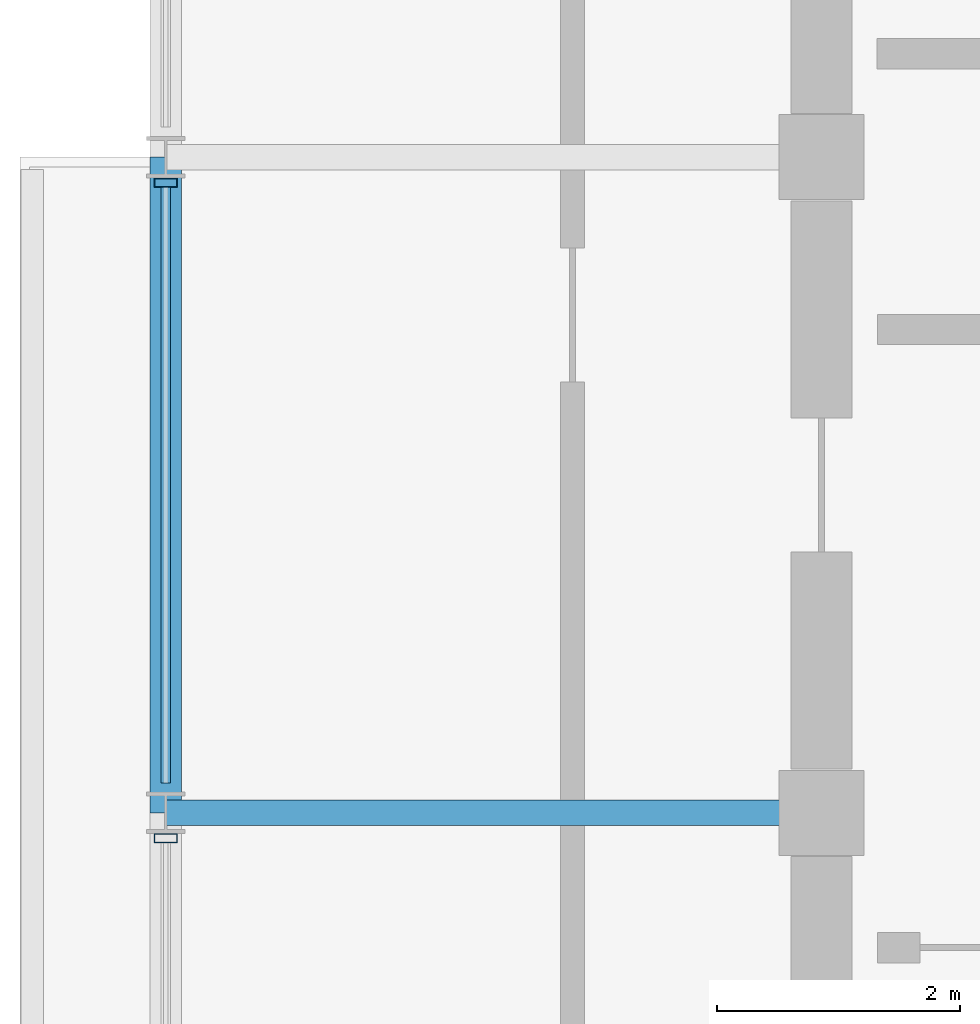
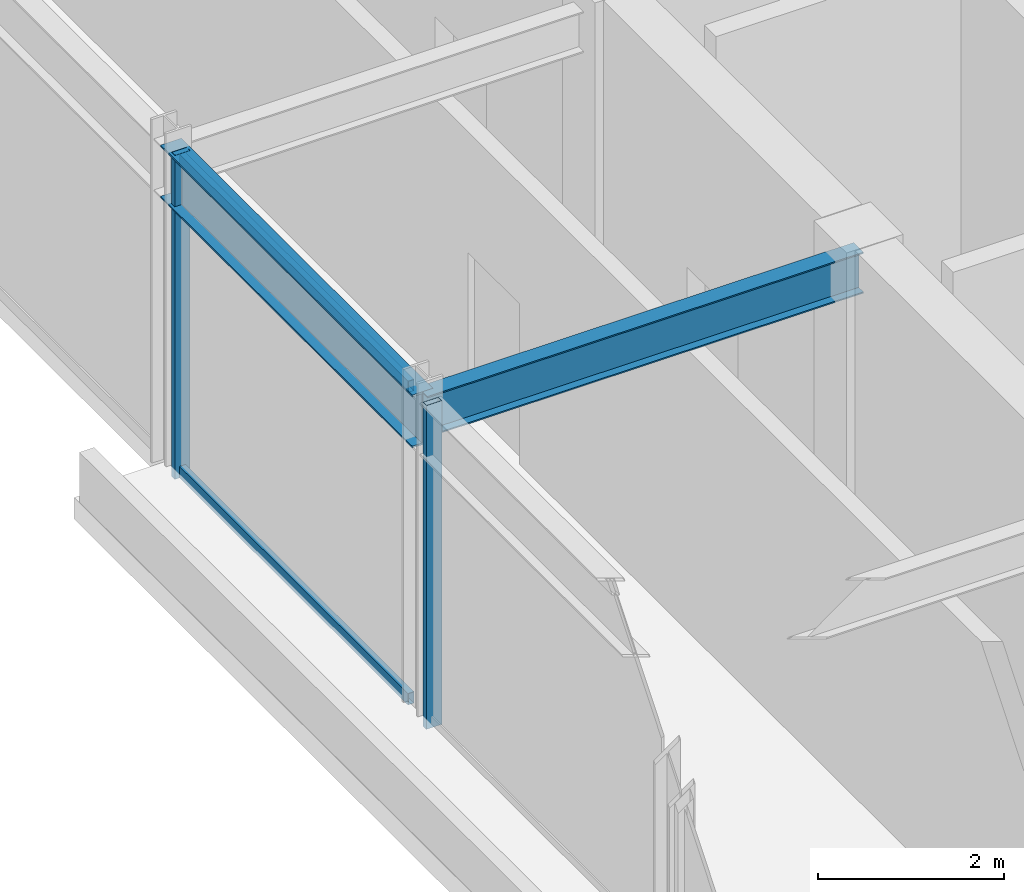
# One storey, part 4 of 18: 4 members, 2 beams, 1 element without a shape of its own.
"""IFC4 building model written with IfcOpenShell, lengths in metres."""

import ifcopenshell
import ifcopenshell.guid

model = None  # the IFC model being written
_history = None  # IfcOwnerHistory: only IFC2X3 demands one
_inside = {}  # id of a spatial element -> (the spatial element, [elements in it])
_under = {}  # id of a project, library or spatial element -> (it, [spatial elements below it])
_declared = {}  # id of a project -> (the project, [libraries it declares])
_typed = {}  # id of a type object -> (the type object, [elements of that type])
_made_of = {}  # id of a material, layer set ... -> (it, [elements and type objects made of it])


def new_model(schema):
    """Start an empty IFC model of exactly this schema.

    Asked for "IFC4X3", IfcOpenShell would pick the latest addendum, in which some entities
    have other attributes; the version numbers below select the first issue.
    IFC2X3 requires an IfcOwnerHistory on every rooted entity: one is made here for all.
    """
    global model, _history
    if schema == "IFC4X3":
        model = ifcopenshell.file(schema_version=(4, 3, 0, 0))
    else:
        model = ifcopenshell.file(schema=schema)
    _inside.clear()
    _under.clear()
    _declared.clear()
    _typed.clear()
    _made_of.clear()
    _history = None
    if model.schema == "IFC2X3":
        org = make("IfcOrganization", Name="unknown")
        user = make(
            "IfcPersonAndOrganization",
            ThePerson=make("IfcPerson", FamilyName="unknown"),
            TheOrganization=org,
        )
        app = make(
            "IfcApplication",
            ApplicationDeveloper=org,
            Version="unknown",
            ApplicationFullName="unknown",
            ApplicationIdentifier="unknown",
        )
        _history = make(
            "IfcOwnerHistory",
            OwningUser=user,
            OwningApplication=app,
            ChangeAction="ADDED",
            CreationDate=0,
        )
    return model


def make(cls, **values):
    """One entity of the class cls with the attributes given. An attribute that is None is left unset."""
    return model.create_entity(
        cls, **{name: value for name, value in values.items() if value is not None}
    )


def rooted(cls, **values):
    """An entity with a GlobalId (a new one), such as an element, a storey or a relation."""
    return make(cls, GlobalId=ifcopenshell.guid.new(), OwnerHistory=_history, **values)


def si_unit(unit_type, name, prefix=None):
    """IfcSIUnit, for example si_unit("LENGTHUNIT", "METRE", prefix="MILLI")."""
    return make("IfcSIUnit", UnitType=unit_type, Prefix=prefix, Name=name)


def assignment(units):
    """IfcUnitAssignment: the units of a project."""
    return None if units is None else make("IfcUnitAssignment", Units=units)


def point(xyz):
    """IfcCartesianPoint."""
    return None if xyz is None else make("IfcCartesianPoint", Coordinates=xyz)


def direction(xyz):
    """IfcDirection."""
    return None if xyz is None else make("IfcDirection", DirectionRatios=xyz)


def frame(location, z_axis=None, x_axis=None):
    """IfcAxis2Placement3D, a coordinate frame: its origin and axes. An axis left out is left unset."""
    return make(
        "IfcAxis2Placement3D",
        Location=point(location),
        Axis=direction(z_axis),
        RefDirection=direction(x_axis),
    )


def frame_2d(location, x_axis=None):
    """IfcAxis2Placement2D, a coordinate frame in the plane: its origin and x axis."""
    return make(
        "IfcAxis2Placement2D", Location=point(location), RefDirection=direction(x_axis)
    )


def origin():
    """The frame at (0, 0, 0) with its axes left unset."""
    return frame((0.0, 0.0, 0.0))


def origin_2d():
    """The frame at (0, 0) in the plane with its x axis left unset."""
    return frame_2d((0.0, 0.0))


def place(relative_to, where):
    """IfcLocalPlacement: puts the frame where relative to a parent placement (None: the world)."""
    return make(
        "IfcLocalPlacement", PlacementRelTo=relative_to, RelativePlacement=where
    )


def context(
    kind, dimensions, precision=None, world=None, true_north=None, identifier=None
):
    """IfcGeometricRepresentationContext, for example the 3D "Model" context."""
    return make(
        "IfcGeometricRepresentationContext",
        ContextIdentifier=identifier,
        ContextType=kind,
        CoordinateSpaceDimension=dimensions,
        Precision=precision,
        WorldCoordinateSystem=world,
        TrueNorth=true_north,
    )


def subcontext(parent, identifier, kind, view, scale=None):
    """IfcGeometricRepresentationSubContext, for example "Body" below "Model"."""
    return make(
        "IfcGeometricRepresentationSubContext",
        ContextIdentifier=identifier,
        ContextType=kind,
        ParentContext=parent,
        TargetScale=scale,
        TargetView=view,
    )


def project(units=None, contexts=None):
    """IfcProject with its units and contexts."""
    return rooted(
        "IfcProject",
        Name="project",
        RepresentationContexts=contexts,
        UnitsInContext=assignment(units),
    )


def spatial(cls, under=None, at=None, **own):
    """A site, building, storey or space (cls), placed at a placement, below another one or the project."""
    s = rooted(cls, ObjectPlacement=at, **own)
    if under is not None:
        _under.setdefault(under.id(), (under, []))[1].append(s)
    return s


def profile(cls, at=None, kind="AREA", **sizes):
    """A parametric profile (cls). Its sizes go by their IFC names, for example OverallWidth=200.0."""
    return make(cls, ProfileType=kind, Position=at, **sizes)


def hollow_rectangle(**sizes):
    """IfcRectangleHollowProfileDef."""
    return profile("IfcRectangleHollowProfileDef", **sizes)


def i_section(**sizes):
    """IfcIShapeProfileDef."""
    return profile("IfcIShapeProfileDef", **sizes)


def extrude(swept, where, along, depth):
    """IfcExtrudedAreaSolid: the profile swept, set in the frame where, extruded along a direction by depth."""
    return make(
        "IfcExtrudedAreaSolid",
        SweptArea=swept,
        Position=where,
        ExtrudedDirection=direction(along),
        Depth=depth,
    )


def shape(context_of_items, identifier, shape_type, items):
    """IfcShapeRepresentation: the items that make up one representation, for example the "Body"."""
    return make(
        "IfcShapeRepresentation",
        ContextOfItems=context_of_items,
        RepresentationIdentifier=identifier,
        RepresentationType=shape_type,
        Items=items,
    )


def material(Name=None, Category=None):
    """IfcMaterial."""
    return make("IfcMaterial", Name=Name, Category=Category)


def layer(
    of_material, thickness, ventilated=None, Name=None, Category=None, Priority=None
):
    """IfcMaterialLayer: one layer of a wall or slab, of a material (None: an air gap)."""
    return make(
        "IfcMaterialLayer",
        Material=of_material,
        LayerThickness=thickness,
        IsVentilated=ventilated,
        Name=Name,
        Category=Category,
        Priority=Priority,
    )


def layer_set(layers, Name=None):
    """IfcMaterialLayerSet."""
    return make("IfcMaterialLayerSet", MaterialLayers=layers, LayerSetName=Name)


def material_profile(
    of_material, cross_section, Name=None, Category=None, Priority=None
):
    """IfcMaterialProfile: a cross section and its material."""
    return make(
        "IfcMaterialProfile",
        Name=Name,
        Material=of_material,
        Profile=cross_section,
        Priority=Priority,
        Category=Category,
    )


def profile_set(profiles, Name=None, composite=None):
    """IfcMaterialProfileSet."""
    return make(
        "IfcMaterialProfileSet",
        Name=Name,
        MaterialProfiles=profiles,
        CompositeProfile=composite,
    )


def made_of(thing, what):
    """Note that an element or type object is made of a material, layer set ...; save() writes the relation."""
    if what is not None:
        _made_of.setdefault(what.id(), (what, []))[1].append(thing)
    return thing


def type_object(cls, material=None, **own):
    """A type object (cls), such as IfcWallType, which elements share."""
    return made_of(rooted(cls, **own), material)


def element(
    cls,
    number,
    at=None,
    inside=None,
    cuts=None,
    type_object=None,
    material=None,
    context=None,
    identifier="Body",
    shape_type=None,
    held_by="IfcProductDefinitionShape",
    body=None,
    shapes=None,
    **own,
):
    """One element of the class cls, such as IfcWall. Its Tag is "e" and its number.

    at: its placement. inside: the storey or other place that contains it. cuts: it is an
    opening in that element (IfcRelVoidsElement). A single representation is given by context,
    identifier, shape_type and body (its items); several are given by shapes. held_by: the class
    of the entity that holds the representations. save() writes the other relations.
    """
    e = rooted(cls, Tag="e%d" % number, ObjectPlacement=at, **own)
    if body is not None:
        shapes = [shape(context, identifier, shape_type, body)]
    if shapes is not None:
        e.Representation = make(held_by, Representations=shapes)
    if inside is not None:
        _inside.setdefault(inside.id(), (inside, []))[1].append(e)
    if cuts is not None:
        rooted(
            "IfcRelVoidsElement", RelatingBuildingElement=cuts, RelatedOpeningElement=e
        )
    if type_object is not None:
        _typed.setdefault(type_object.id(), (type_object, []))[1].append(e)
    return made_of(e, material)


def aggregate(whole, parts):
    """IfcRelAggregates: a whole, such as a stair, and the parts it consists of."""
    return rooted("IfcRelAggregates", RelatingObject=whole, RelatedObjects=parts)


def save(model, path):
    """Write the relations noted so far, then the file.

    IfcRelAggregates (storeys below a building ...), IfcRelContainedInSpatialStructure (elements
    in a storey), IfcRelDefinesByType, IfcRelAssociatesMaterial and IfcRelDeclares: one each for
    every whole, place, type object, material and project.
    """
    for whole, parts in _under.values():
        aggregate(whole, parts)
    for where, things in _inside.values():
        rooted(
            "IfcRelContainedInSpatialStructure",
            RelatedElements=things,
            RelatingStructure=where,
        )
    for kind, things in _typed.values():
        rooted("IfcRelDefinesByType", RelatedObjects=things, RelatingType=kind)
    for what, things in _made_of.values():
        rooted("IfcRelAssociatesMaterial", RelatedObjects=things, RelatingMaterial=what)
    for by, libraries in _declared.values():
        rooted("IfcRelDeclares", RelatingContext=by, RelatedDefinitions=libraries)
    model.write(path)


model = new_model("IFC4")

# Units and contexts
model_context = context("Model", 3, precision=1e-05, world=origin(), true_north=direction((0.0, 1.0)))
body_context = subcontext(model_context, "Body", "Model", "MODEL_VIEW")
ifc_project = project(units=[si_unit("LENGTHUNIT", "METRE"), si_unit("AREAUNIT", "SQUARE_METRE"), si_unit("VOLUMEUNIT", "CUBIC_METRE"), si_unit("PLANEANGLEUNIT", "RADIAN"), si_unit("MASSUNIT", "GRAM", prefix="KILO")], contexts=[model_context])

# Site, building, storey
site_placement = place(None, origin())
site = spatial("IfcSite", under=ifc_project, at=site_placement, CompositionType="ELEMENT")
building_placement = place(site_placement, origin())
building = spatial("IfcBuilding", under=site, at=building_placement, Name="Surkhivell Harbour Commons", CompositionType="ELEMENT")
storey_placement = place(building_placement, frame((0.0, 0.0, 360.0)))
storey = spatial("IfcBuildingStorey", under=building, at=storey_placement, Name="L93", CompositionType="ELEMENT", Elevation=360.0)

# Beams
ifc_material_1 = material(Name="Steel S355", Category="steel")
ifc_material_profile_1 = material_profile(ifc_material_1, i_section(OverallWidth=0.2099609375, OverallDepth=0.537109375, WebThickness=0.0107421875, FlangeThickness=0.017333984375, at=origin_2d()), Name="UB533x210x101")
ifc_profile_set_1 = profile_set([ifc_material_profile_1], Name="Steel S355")
beam_type_1 = type_object("IfcBeamType", Name="BM-GRD-533B", PredefinedType="BEAM", material=ifc_profile_set_1)
beam_1_placement = place(storey_placement, frame((-16.199951171875, -5.39990234375, 3.971435546875), z_axis=(1.0, 0.0, 0.0), x_axis=(0.0, 1.0, 0.0)))
element("IfcBeam", 1, at=beam_1_placement, inside=storey, type_object=beam_type_1, Name="L93 Floor Girder (-16.2,-5.4)", PredefinedType="BEAM", context=body_context, shape_type="SweptSolid", body=[
    extrude(i_section(OverallWidth=0.2099609375, OverallDepth=0.537109375, WebThickness=0.0107421875, FlangeThickness=0.017333984375, at=origin_2d()), origin(), (0.0, 0.0, 1.0), 5.39990234375),
])
ifc_material_profile_2 = material_profile(ifc_material_1, i_section(OverallWidth=0.256103515625, OverallDepth=0.693115234375, WebThickness=0.014404296875, FlangeThickness=0.023681640625, at=origin_2d()), Name="UB686x254x170")
ifc_profile_set_2 = profile_set([ifc_material_profile_2], Name="Steel S355")
beam_type_2 = type_object("IfcBeamType", Name="BM-SPN-686", PredefinedType="SPANDREL", material=ifc_profile_set_2)
beam_2_placement = place(storey_placement, frame((-16.199951171875, -5.39990234375, 3.8935546875), z_axis=(0.0, 1.0, 0.0), x_axis=(-1.0, 0.0, 0.0)))
element("IfcBeam", 2, at=beam_2_placement, inside=storey, type_object=beam_type_2, Name="L93 Tube Spandrel (-16.2,-5.4)", PredefinedType="SPANDREL", context=body_context, shape_type="SweptSolid", body=[
    extrude(i_section(OverallWidth=0.256103515625, OverallDepth=0.693115234375, WebThickness=0.014404296875, FlangeThickness=0.023681640625, at=origin_2d()), origin(), (0.0, 0.0, 1.0), 5.39990234375),
])

# Curtain wall, members
ifc_material_2 = material(Name="Anodised pale-metal aluminium and insulated glazing", Category="aluminium")
ifc_layer = layer(ifc_material_2, 0.22998046875)
ifc_layer_set = layer_set([ifc_layer], Name="Anodised pale-metal aluminium and insulated glazing")
curtain_wall_type = type_object("IfcCurtainWallType", Name="CW-SYS-CRN", PredefinedType="NOTDEFINED", material=ifc_layer_set)
curtain_wall_placement = place(storey_placement, origin())
curtain_wall = element("IfcCurtainWall", 3, at=curtain_wall_placement, inside=storey, type_object=curtain_wall_type, Name="L93 Curtain Wall CW-L93-C03S1", PredefinedType="NOTDEFINED")
ifc_material_3 = material(Name="Anodised pale-metal aluminium alloy 6063-T6", Category="aluminium")
ifc_material_profile_3 = material_profile(ifc_material_3, hollow_rectangle(XDim=0.074951171875, YDim=0.18994140625, WallThickness=0.00390625, at=origin_2d()), Name="ALU-MULL-75x190")
ifc_profile_set_3 = profile_set([ifc_material_profile_3], Name="Anodised pale-metal aluminium alloy 6063-T6")
member_type_1 = type_object("IfcMemberType", Name="CWM-190", PredefinedType="MULLION", material=ifc_profile_set_3)
member_1_placement = place(storey_placement, frame((-16.199951171875, -0.20947265625, 0.0), z_axis=(0.0, 0.0, 1.0), x_axis=(0.0, -1.0, 0.0)))
member_1 = element("IfcMember", 4, at=member_1_placement, type_object=member_type_1, Name="CW-CRN mullion 4", PredefinedType="MULLION", context=body_context, shape_type="SweptSolid", body=[
    extrude(hollow_rectangle(XDim=0.074951171875, YDim=0.18994140625, WallThickness=0.00390625, at=origin_2d()), origin(), (0.0, 0.0, 1.0), 4.239990234375),
])
member_2_placement = place(storey_placement, frame((-16.199951171875, -5.609619140625, 0.0), z_axis=(0.0, 0.0, 1.0), x_axis=(0.0, -1.0, 0.0)))
member_2 = element("IfcMember", 5, at=member_2_placement, type_object=member_type_1, Name="CW-CRN mullion 5", PredefinedType="MULLION", context=body_context, shape_type="SweptSolid", body=[
    extrude(hollow_rectangle(XDim=0.074951171875, YDim=0.18994140625, WallThickness=0.00390625, at=origin_2d()), origin(), (0.0, 0.0, 1.0), 4.239990234375),
])
ifc_material_profile_4 = material_profile(ifc_material_3, hollow_rectangle(XDim=0.074951171875, YDim=0.14990234375, WallThickness=0.00341796875, at=origin_2d()), Name="ALU-TRAN-75x150")
ifc_profile_set_4 = profile_set([ifc_material_profile_4], Name="Anodised pale-metal aluminium alloy 6063-T6")
member_type_2 = type_object("IfcMemberType", Name="CWT-150", PredefinedType="USERDEFINED", material=ifc_profile_set_4)
member_3_placement = place(storey_placement, frame((-16.199951171875, -0.2470703125, 0.074951171875), z_axis=(0.0, -1.0, 0.0), x_axis=(1.0, 0.0, 0.0)))
member_3 = element("IfcMember", 6, at=member_3_placement, type_object=member_type_2, Name="CW-CRN transom 4.1", ObjectType="TRANSOM", PredefinedType="USERDEFINED", context=body_context, shape_type="SweptSolid", body=[
    extrude(hollow_rectangle(XDim=0.074951171875, YDim=0.14990234375, WallThickness=0.00341796875, at=origin_2d()), origin(), (0.0, 0.0, 1.0), 4.906005859375),
])
member_4_placement = place(storey_placement, frame((-16.199951171875, -0.2470703125, 4.1650390625), z_axis=(0.0, -1.0, 0.0), x_axis=(1.0, 0.0, 0.0)))
member_4 = element("IfcMember", 7, at=member_4_placement, type_object=member_type_2, Name="CW-CRN transom 4.2", ObjectType="TRANSOM", PredefinedType="USERDEFINED", context=body_context, shape_type="SweptSolid", body=[
    extrude(hollow_rectangle(XDim=0.074951171875, YDim=0.14990234375, WallThickness=0.00341796875, at=origin_2d()), origin(), (0.0, 0.0, 1.0), 4.906005859375),
])
aggregate(curtain_wall, [member_1, member_3, member_4, member_2])

save(model, "model.ifc")
